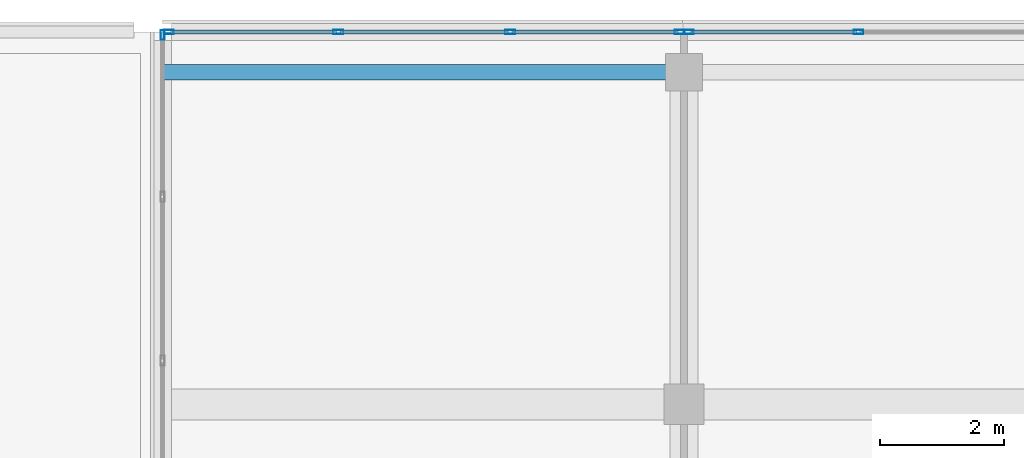
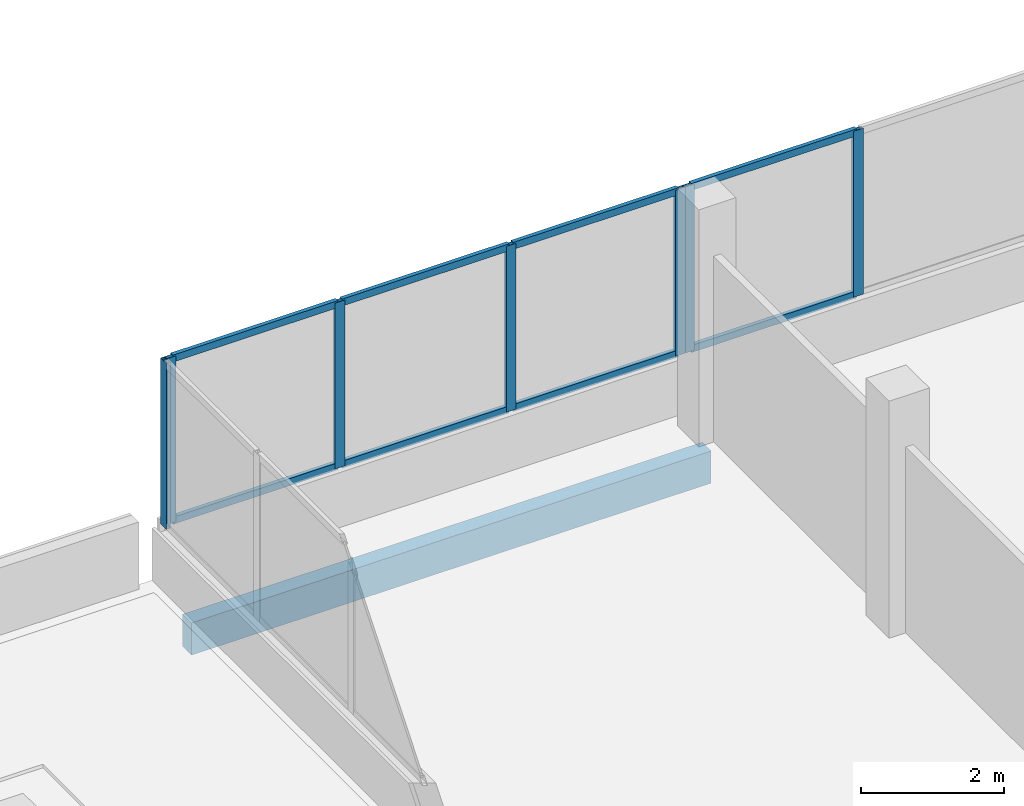
# One storey, part 25 of 78: 15 members, 1 beam, 3 elements without a shape of their own.
"""IFC4 building model written with IfcOpenShell, lengths in metres."""

import ifcopenshell
import ifcopenshell.guid

model = None  # the IFC model being written
_history = None  # IfcOwnerHistory: only IFC2X3 demands one
_inside = {}  # id of a spatial element -> (the spatial element, [elements in it])
_under = {}  # id of a project, library or spatial element -> (it, [spatial elements below it])
_declared = {}  # id of a project -> (the project, [libraries it declares])
_typed = {}  # id of a type object -> (the type object, [elements of that type])
_made_of = {}  # id of a material, layer set ... -> (it, [elements and type objects made of it])


def new_model(schema):
    """Start an empty IFC model of exactly this schema.

    Asked for "IFC4X3", IfcOpenShell would pick the latest addendum, in which some entities
    have other attributes; the version numbers below select the first issue.
    IFC2X3 requires an IfcOwnerHistory on every rooted entity: one is made here for all.
    """
    global model, _history
    if schema == "IFC4X3":
        model = ifcopenshell.file(schema_version=(4, 3, 0, 0))
    else:
        model = ifcopenshell.file(schema=schema)
    _inside.clear()
    _under.clear()
    _declared.clear()
    _typed.clear()
    _made_of.clear()
    _history = None
    if model.schema == "IFC2X3":
        org = make("IfcOrganization", Name="unknown")
        user = make(
            "IfcPersonAndOrganization",
            ThePerson=make("IfcPerson", FamilyName="unknown"),
            TheOrganization=org,
        )
        app = make(
            "IfcApplication",
            ApplicationDeveloper=org,
            Version="unknown",
            ApplicationFullName="unknown",
            ApplicationIdentifier="unknown",
        )
        _history = make(
            "IfcOwnerHistory",
            OwningUser=user,
            OwningApplication=app,
            ChangeAction="ADDED",
            CreationDate=0,
        )
    return model


def make(cls, **values):
    """One entity of the class cls with the attributes given. An attribute that is None is left unset."""
    return model.create_entity(
        cls, **{name: value for name, value in values.items() if value is not None}
    )


def rooted(cls, **values):
    """An entity with a GlobalId (a new one), such as an element, a storey or a relation."""
    return make(cls, GlobalId=ifcopenshell.guid.new(), OwnerHistory=_history, **values)


def si_unit(unit_type, name, prefix=None):
    """IfcSIUnit, for example si_unit("LENGTHUNIT", "METRE", prefix="MILLI")."""
    return make("IfcSIUnit", UnitType=unit_type, Prefix=prefix, Name=name)


def assignment(units):
    """IfcUnitAssignment: the units of a project."""
    return None if units is None else make("IfcUnitAssignment", Units=units)


def point(xyz):
    """IfcCartesianPoint."""
    return None if xyz is None else make("IfcCartesianPoint", Coordinates=xyz)


def direction(xyz):
    """IfcDirection."""
    return None if xyz is None else make("IfcDirection", DirectionRatios=xyz)


def frame(location, z_axis=None, x_axis=None):
    """IfcAxis2Placement3D, a coordinate frame: its origin and axes. An axis left out is left unset."""
    return make(
        "IfcAxis2Placement3D",
        Location=point(location),
        Axis=direction(z_axis),
        RefDirection=direction(x_axis),
    )


def frame_2d(location, x_axis=None):
    """IfcAxis2Placement2D, a coordinate frame in the plane: its origin and x axis."""
    return make(
        "IfcAxis2Placement2D", Location=point(location), RefDirection=direction(x_axis)
    )


def origin():
    """The frame at (0, 0, 0) with its axes left unset."""
    return frame((0.0, 0.0, 0.0))


def origin_2d():
    """The frame at (0, 0) in the plane with its x axis left unset."""
    return frame_2d((0.0, 0.0))


def place(relative_to, where):
    """IfcLocalPlacement: puts the frame where relative to a parent placement (None: the world)."""
    return make(
        "IfcLocalPlacement", PlacementRelTo=relative_to, RelativePlacement=where
    )


def context(
    kind, dimensions, precision=None, world=None, true_north=None, identifier=None
):
    """IfcGeometricRepresentationContext, for example the 3D "Model" context."""
    return make(
        "IfcGeometricRepresentationContext",
        ContextIdentifier=identifier,
        ContextType=kind,
        CoordinateSpaceDimension=dimensions,
        Precision=precision,
        WorldCoordinateSystem=world,
        TrueNorth=true_north,
    )


def subcontext(parent, identifier, kind, view, scale=None):
    """IfcGeometricRepresentationSubContext, for example "Body" below "Model"."""
    return make(
        "IfcGeometricRepresentationSubContext",
        ContextIdentifier=identifier,
        ContextType=kind,
        ParentContext=parent,
        TargetScale=scale,
        TargetView=view,
    )


def project(units=None, contexts=None):
    """IfcProject with its units and contexts."""
    return rooted(
        "IfcProject",
        Name="project",
        RepresentationContexts=contexts,
        UnitsInContext=assignment(units),
    )


def spatial(cls, under=None, at=None, **own):
    """A site, building, storey or space (cls), placed at a placement, below another one or the project."""
    s = rooted(cls, ObjectPlacement=at, **own)
    if under is not None:
        _under.setdefault(under.id(), (under, []))[1].append(s)
    return s


def profile(cls, at=None, kind="AREA", **sizes):
    """A parametric profile (cls). Its sizes go by their IFC names, for example OverallWidth=200.0."""
    return make(cls, ProfileType=kind, Position=at, **sizes)


def rectangle(**sizes):
    """IfcRectangleProfileDef."""
    return profile("IfcRectangleProfileDef", **sizes)


def hollow_rectangle(**sizes):
    """IfcRectangleHollowProfileDef."""
    return profile("IfcRectangleHollowProfileDef", **sizes)


def extrude(swept, where, along, depth):
    """IfcExtrudedAreaSolid: the profile swept, set in the frame where, extruded along a direction by depth."""
    return make(
        "IfcExtrudedAreaSolid",
        SweptArea=swept,
        Position=where,
        ExtrudedDirection=direction(along),
        Depth=depth,
    )


def shape(context_of_items, identifier, shape_type, items):
    """IfcShapeRepresentation: the items that make up one representation, for example the "Body"."""
    return make(
        "IfcShapeRepresentation",
        ContextOfItems=context_of_items,
        RepresentationIdentifier=identifier,
        RepresentationType=shape_type,
        Items=items,
    )


def material(Name=None, Category=None):
    """IfcMaterial."""
    return make("IfcMaterial", Name=Name, Category=Category)


def material_profile(
    of_material, cross_section, Name=None, Category=None, Priority=None
):
    """IfcMaterialProfile: a cross section and its material."""
    return make(
        "IfcMaterialProfile",
        Name=Name,
        Material=of_material,
        Profile=cross_section,
        Priority=Priority,
        Category=Category,
    )


def profile_set(profiles, Name=None, composite=None):
    """IfcMaterialProfileSet."""
    return make(
        "IfcMaterialProfileSet",
        Name=Name,
        MaterialProfiles=profiles,
        CompositeProfile=composite,
    )


def made_of(thing, what):
    """Note that an element or type object is made of a material, layer set ...; save() writes the relation."""
    if what is not None:
        _made_of.setdefault(what.id(), (what, []))[1].append(thing)
    return thing


def type_object(cls, material=None, **own):
    """A type object (cls), such as IfcWallType, which elements share."""
    return made_of(rooted(cls, **own), material)


def element(
    cls,
    number,
    at=None,
    inside=None,
    cuts=None,
    type_object=None,
    material=None,
    context=None,
    identifier="Body",
    shape_type=None,
    held_by="IfcProductDefinitionShape",
    body=None,
    shapes=None,
    **own,
):
    """One element of the class cls, such as IfcWall. Its Tag is "e" and its number.

    at: its placement. inside: the storey or other place that contains it. cuts: it is an
    opening in that element (IfcRelVoidsElement). A single representation is given by context,
    identifier, shape_type and body (its items); several are given by shapes. held_by: the class
    of the entity that holds the representations. save() writes the other relations.
    """
    e = rooted(cls, Tag="e%d" % number, ObjectPlacement=at, **own)
    if body is not None:
        shapes = [shape(context, identifier, shape_type, body)]
    if shapes is not None:
        e.Representation = make(held_by, Representations=shapes)
    if inside is not None:
        _inside.setdefault(inside.id(), (inside, []))[1].append(e)
    if cuts is not None:
        rooted(
            "IfcRelVoidsElement", RelatingBuildingElement=cuts, RelatedOpeningElement=e
        )
    if type_object is not None:
        _typed.setdefault(type_object.id(), (type_object, []))[1].append(e)
    return made_of(e, material)


def aggregate(whole, parts):
    """IfcRelAggregates: a whole, such as a stair, and the parts it consists of."""
    return rooted("IfcRelAggregates", RelatingObject=whole, RelatedObjects=parts)


def save(model, path):
    """Write the relations noted so far, then the file.

    IfcRelAggregates (storeys below a building ...), IfcRelContainedInSpatialStructure (elements
    in a storey), IfcRelDefinesByType, IfcRelAssociatesMaterial and IfcRelDeclares: one each for
    every whole, place, type object, material and project.
    """
    for whole, parts in _under.values():
        aggregate(whole, parts)
    for where, things in _inside.values():
        rooted(
            "IfcRelContainedInSpatialStructure",
            RelatedElements=things,
            RelatingStructure=where,
        )
    for kind, things in _typed.values():
        rooted("IfcRelDefinesByType", RelatedObjects=things, RelatingType=kind)
    for what, things in _made_of.values():
        rooted("IfcRelAssociatesMaterial", RelatedObjects=things, RelatingMaterial=what)
    for by, libraries in _declared.values():
        rooted("IfcRelDeclares", RelatingContext=by, RelatedDefinitions=libraries)
    model.write(path)


model = new_model("IFC4")

# Units and contexts
model_context = context("Model", 3, precision=1e-05, world=origin(), true_north=direction((0.0, 1.0)))
body_context = subcontext(model_context, "Body", "Model", "MODEL_VIEW")
ifc_project = project(units=[si_unit("LENGTHUNIT", "METRE"), si_unit("AREAUNIT", "SQUARE_METRE"), si_unit("VOLUMEUNIT", "CUBIC_METRE"), si_unit("PLANEANGLEUNIT", "RADIAN"), si_unit("MASSUNIT", "GRAM", prefix="KILO")], contexts=[model_context])

# Site, building, storey
site_placement = place(None, origin())
site = spatial("IfcSite", under=ifc_project, at=site_placement, CompositionType="ELEMENT")
building_placement = place(site_placement, origin())
building = spatial("IfcBuilding", under=site, at=building_placement, Name="Selatvlak General Hospital", CompositionType="ELEMENT")
storey_placement = place(building_placement, frame((0.0, 0.0, 23.25)))
storey = spatial("IfcBuildingStorey", under=building, at=storey_placement, Name="L05", CompositionType="ELEMENT", Elevation=23.25)

# Beam
ifc_material_1 = material(Name="Concrete C40/50", Category="concrete")
ifc_material_profile_1 = material_profile(ifc_material_1, rectangle(XDim=0.25, YDim=0.550048828125, at=origin_2d()), Name="RC-SP 250x550")
ifc_profile_set_1 = profile_set([ifc_material_profile_1], Name="Concrete C40/50")
beam_type = type_object("IfcBeamType", Name="BM-SP2", PredefinedType="SPANDREL", material=ifc_profile_set_1)
beam_placement = place(storey_placement, frame((22.800048828125, 119.35009765625, -0.554931640625), z_axis=(1.0, 0.0, 0.0), x_axis=(0.0, 1.0, 0.0)))
element("IfcBeam", 1, at=beam_placement, inside=storey, type_object=beam_type, Name="Beam BMR-L05-1975", PredefinedType="SPANDREL", context=body_context, shape_type="SweptSolid", body=[
    extrude(rectangle(XDim=0.25, YDim=0.550048828125, at=origin_2d()), origin(), (0.0, 0.0, 1.0), 8.39990234375),
])

# Curtain wall, member
ifc_material_2 = material(Name="Solar-control Low-E double glazing", Category="glass")
curtain_wall_type_1 = type_object("IfcCurtainWallType", Name="CW-CW-02", PredefinedType="USERDEFINED", material=ifc_material_2)
curtain_wall_1_placement = place(storey_placement, origin())
curtain_wall_1 = element("IfcCurtainWall", 2, at=curtain_wall_1_placement, inside=storey, type_object=curtain_wall_type_1, Name="Glazed facade curtain wall CW-L05-0546", ObjectType="UNITISED CURTAIN WALL", PredefinedType="USERDEFINED")
ifc_material_3 = material(Name="Dark anodised aluminium mullion", Category="aluminium")
ifc_material_profile_2 = material_profile(ifc_material_3, hollow_rectangle(XDim=0.06494140625, YDim=0.159912109375, WallThickness=0.00390625, at=origin_2d()), Name="AL-MUL 65x160x4")
ifc_profile_set_2 = profile_set([ifc_material_profile_2], Name="Dark anodised aluminium mullion")
member_type_1 = type_object("IfcMemberType", Name="CWM-01", PredefinedType="MULLION", material=ifc_profile_set_2)
member_1_placement = place(storey_placement, frame((22.800048828125, 119.951416015625, 0.93994140625), z_axis=(0.0, 0.0, 1.0), x_axis=(-1.0, 0.0, 0.0)))
member_1 = element("IfcMember", 3, at=member_1_placement, type_object=member_type_1, Name="CW-02 mullion 4", PredefinedType="MULLION", context=body_context, shape_type="SweptSolid", body=[
    extrude(hollow_rectangle(XDim=0.06494140625, YDim=0.159912109375, WallThickness=0.00390625, at=origin_2d()), origin(), (0.0, 0.0, 1.0), 2.8349609375),
])
aggregate(curtain_wall_1, [member_1])

# Curtain wall, members
curtain_wall_type_2 = type_object("IfcCurtainWallType", Name="CW-CW-01", PredefinedType="USERDEFINED", material=ifc_material_2)
curtain_wall_2_placement = place(storey_placement, origin())
curtain_wall_2 = element("IfcCurtainWall", 4, at=curtain_wall_2_placement, inside=storey, type_object=curtain_wall_type_2, Name="Glazed facade curtain wall CW-L05-0547", ObjectType="UNITISED CURTAIN WALL", PredefinedType="USERDEFINED")
member_2_placement = place(storey_placement, frame((22.8974609375, 119.9990234375, 0.93994140625), z_axis=(0.0, 0.0, 1.0), x_axis=(0.0, 1.0, 0.0)))
member_2 = element("IfcMember", 5, at=member_2_placement, type_object=member_type_1, Name="CW-01 mullion 1", PredefinedType="MULLION", context=body_context, shape_type="SweptSolid", body=[
    extrude(hollow_rectangle(XDim=0.06494140625, YDim=0.159912109375, WallThickness=0.00390625, at=origin_2d()), origin(), (0.0, 0.0, 1.0), 2.8349609375),
])
member_3_placement = place(storey_placement, frame((25.63134765625, 119.9990234375, 0.93994140625), z_axis=(0.0, 0.0, 1.0), x_axis=(0.0, 1.0, 0.0)))
member_3 = element("IfcMember", 6, at=member_3_placement, type_object=member_type_1, Name="CW-01 mullion 2", PredefinedType="MULLION", context=body_context, shape_type="SweptSolid", body=[
    extrude(hollow_rectangle(XDim=0.06494140625, YDim=0.159912109375, WallThickness=0.00390625, at=origin_2d()), origin(), (0.0, 0.0, 1.0), 2.8349609375),
])
member_4_placement = place(storey_placement, frame((28.397705078125, 119.9990234375, 0.93994140625), z_axis=(0.0, 0.0, 1.0), x_axis=(0.0, 1.0, 0.0)))
member_4 = element("IfcMember", 7, at=member_4_placement, type_object=member_type_1, Name="CW-01 mullion 3", PredefinedType="MULLION", context=body_context, shape_type="SweptSolid", body=[
    extrude(hollow_rectangle(XDim=0.06494140625, YDim=0.159912109375, WallThickness=0.00390625, at=origin_2d()), origin(), (0.0, 0.0, 1.0), 2.8349609375),
])
member_5_placement = place(storey_placement, frame((31.131591796875, 119.9990234375, 0.93994140625), z_axis=(0.0, 0.0, 1.0), x_axis=(0.0, 1.0, 0.0)))
member_5 = element("IfcMember", 8, at=member_5_placement, type_object=member_type_1, Name="CW-01 mullion 4", PredefinedType="MULLION", context=body_context, shape_type="SweptSolid", body=[
    extrude(hollow_rectangle(XDim=0.06494140625, YDim=0.159912109375, WallThickness=0.00390625, at=origin_2d()), origin(), (0.0, 0.0, 1.0), 2.8349609375),
])

curtain_wall_3_placement = place(storey_placement, origin())
curtain_wall_3 = element("IfcCurtainWall", 9, at=curtain_wall_3_placement, inside=storey, type_object=curtain_wall_type_1, Name="Glazed facade curtain wall CW-L05-0548", ObjectType="UNITISED CURTAIN WALL", PredefinedType="USERDEFINED")
member_6_placement = place(storey_placement, frame((31.276611328125, 119.9990234375, 0.93994140625), z_axis=(0.0, 0.0, 1.0), x_axis=(0.0, 1.0, 0.0)))
member_6 = element("IfcMember", 10, at=member_6_placement, type_object=member_type_1, Name="CW-02 mullion 1", PredefinedType="MULLION", context=body_context, shape_type="SweptSolid", body=[
    extrude(hollow_rectangle(XDim=0.06494140625, YDim=0.159912109375, WallThickness=0.00390625, at=origin_2d()), origin(), (0.0, 0.0, 1.0), 2.8349609375),
])
member_7_placement = place(storey_placement, frame((34.01025390625, 119.9990234375, 0.93994140625), z_axis=(0.0, 0.0, 1.0), x_axis=(0.0, 1.0, 0.0)))
member_7 = element("IfcMember", 11, at=member_7_placement, type_object=member_type_1, Name="CW-02 mullion 2", PredefinedType="MULLION", context=body_context, shape_type="SweptSolid", body=[
    extrude(hollow_rectangle(XDim=0.06494140625, YDim=0.159912109375, WallThickness=0.00390625, at=origin_2d()), origin(), (0.0, 0.0, 1.0), 2.8349609375),
])

# Member
ifc_material_profile_3 = material_profile(ifc_material_3, hollow_rectangle(XDim=0.06494140625, YDim=0.1201171875, WallThickness=0.00390625, at=origin_2d()), Name="AL-TRN 65x120x4")
ifc_profile_set_3 = profile_set([ifc_material_profile_3], Name="Dark anodised aluminium mullion")
member_type_2 = type_object("IfcMemberType", Name="CWT-01", PredefinedType="USERDEFINED", material=ifc_profile_set_3)
member_8_placement = place(storey_placement, frame((22.929931640625, 119.9990234375, 0.972412109375), z_axis=(1.0, 0.0, 0.0), x_axis=(0.0, 1.0, 0.0)))
member_8 = element("IfcMember", 12, at=member_8_placement, type_object=member_type_2, Name="CW-01 transom 1.1", ObjectType="TRANSOM", PredefinedType="USERDEFINED", context=body_context, shape_type="SweptSolid", body=[
    extrude(hollow_rectangle(XDim=0.06494140625, YDim=0.1201171875, WallThickness=0.00390625, at=origin_2d()), origin(), (0.0, 0.0, 1.0), 2.6689453125),
])

member_9_placement = place(storey_placement, frame((22.929931640625, 119.9990234375, 3.742431640625), z_axis=(1.0, 0.0, 0.0), x_axis=(0.0, 1.0, 0.0)))
member_9 = element("IfcMember", 13, at=member_9_placement, type_object=member_type_2, Name="CW-01 transom 1.2", ObjectType="TRANSOM", PredefinedType="USERDEFINED", context=body_context, shape_type="SweptSolid", body=[
    extrude(hollow_rectangle(XDim=0.06494140625, YDim=0.1201171875, WallThickness=0.00390625, at=origin_2d()), origin(), (0.0, 0.0, 1.0), 2.6689453125),
])

member_10_placement = place(storey_placement, frame((25.663818359375, 119.9990234375, 0.972412109375), z_axis=(1.0, 0.0, 0.0), x_axis=(0.0, 1.0, 0.0)))
member_10 = element("IfcMember", 14, at=member_10_placement, type_object=member_type_2, Name="CW-01 transom 2.1", ObjectType="TRANSOM", PredefinedType="USERDEFINED", context=body_context, shape_type="SweptSolid", body=[
    extrude(hollow_rectangle(XDim=0.06494140625, YDim=0.1201171875, WallThickness=0.00390625, at=origin_2d()), origin(), (0.0, 0.0, 1.0), 2.701416015625),
])

member_11_placement = place(storey_placement, frame((25.663818359375, 119.9990234375, 3.742431640625), z_axis=(1.0, 0.0, 0.0), x_axis=(0.0, 1.0, 0.0)))
member_11 = element("IfcMember", 15, at=member_11_placement, type_object=member_type_2, Name="CW-01 transom 2.2", ObjectType="TRANSOM", PredefinedType="USERDEFINED", context=body_context, shape_type="SweptSolid", body=[
    extrude(hollow_rectangle(XDim=0.06494140625, YDim=0.1201171875, WallThickness=0.00390625, at=origin_2d()), origin(), (0.0, 0.0, 1.0), 2.701416015625),
])

member_12_placement = place(storey_placement, frame((28.43017578125, 119.9990234375, 0.972412109375), z_axis=(1.0, 0.0, 0.0), x_axis=(0.0, 1.0, 0.0)))
member_12 = element("IfcMember", 16, at=member_12_placement, type_object=member_type_2, Name="CW-01 transom 3.1", ObjectType="TRANSOM", PredefinedType="USERDEFINED", context=body_context, shape_type="SweptSolid", body=[
    extrude(hollow_rectangle(XDim=0.06494140625, YDim=0.1201171875, WallThickness=0.00390625, at=origin_2d()), origin(), (0.0, 0.0, 1.0), 2.6689453125),
])

member_13_placement = place(storey_placement, frame((28.43017578125, 119.9990234375, 3.742431640625), z_axis=(1.0, 0.0, 0.0), x_axis=(0.0, 1.0, 0.0)))
member_13 = element("IfcMember", 17, at=member_13_placement, type_object=member_type_2, Name="CW-01 transom 3.2", ObjectType="TRANSOM", PredefinedType="USERDEFINED", context=body_context, shape_type="SweptSolid", body=[
    extrude(hollow_rectangle(XDim=0.06494140625, YDim=0.1201171875, WallThickness=0.00390625, at=origin_2d()), origin(), (0.0, 0.0, 1.0), 2.6689453125),
])

aggregate(curtain_wall_2, [member_2, member_3, member_4, member_5, member_8, member_9, member_10, member_11, member_12, member_13])

member_14_placement = place(storey_placement, frame((31.30908203125, 119.9990234375, 0.972412109375), z_axis=(1.0, 0.0, 0.0), x_axis=(0.0, 1.0, 0.0)))
member_14 = element("IfcMember", 18, at=member_14_placement, type_object=member_type_2, Name="CW-02 transom 1.1", ObjectType="TRANSOM", PredefinedType="USERDEFINED", context=body_context, shape_type="SweptSolid", body=[
    extrude(hollow_rectangle(XDim=0.06494140625, YDim=0.1201171875, WallThickness=0.00390625, at=origin_2d()), origin(), (0.0, 0.0, 1.0), 2.668701171875),
])

member_15_placement = place(storey_placement, frame((31.30908203125, 119.9990234375, 3.742431640625), z_axis=(1.0, 0.0, 0.0), x_axis=(0.0, 1.0, 0.0)))
member_15 = element("IfcMember", 19, at=member_15_placement, type_object=member_type_2, Name="CW-02 transom 1.2", ObjectType="TRANSOM", PredefinedType="USERDEFINED", context=body_context, shape_type="SweptSolid", body=[
    extrude(hollow_rectangle(XDim=0.06494140625, YDim=0.1201171875, WallThickness=0.00390625, at=origin_2d()), origin(), (0.0, 0.0, 1.0), 2.668701171875),
])

aggregate(curtain_wall_3, [member_6, member_7, member_14, member_15])

save(model, "model.ifc")
